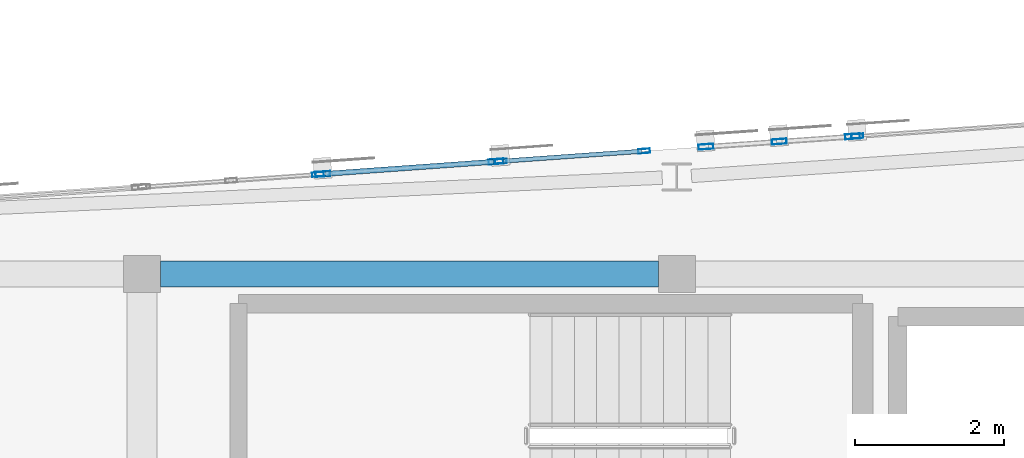
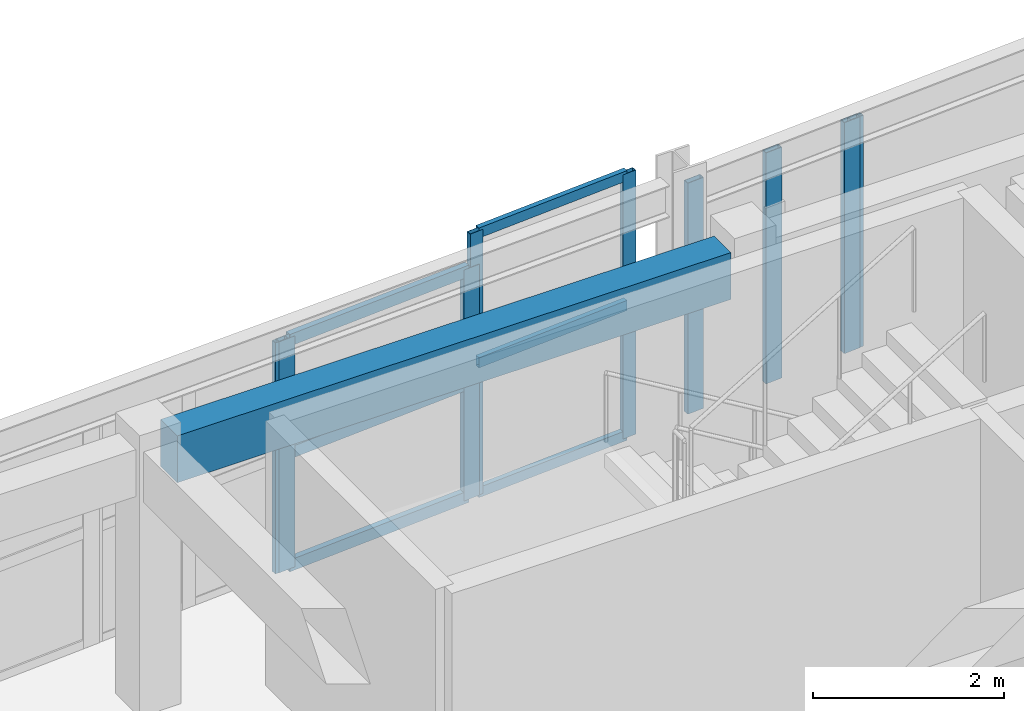
# One storey, part 8 of 34: 15 members, 1 beam, 5 elements without a shape of their own.
"""IFC4 building model written with IfcOpenShell, lengths in metres."""

from ifc_helpers import new_model, si_unit, direction, frame, origin, origin_2d, place, context, subcontext, project, spatial, rectangle, hollow_rectangle, extrude, material, layer, layer_set, material_profile, profile_set, type_object, element, aggregate, save


model = new_model("IFC4")

# Units and contexts
model_context = context("Model", 3, precision=1e-05, world=origin(), true_north=direction((0.0, 1.0)))
body_context = subcontext(model_context, "Body", "Model", "MODEL_VIEW")
ifc_project = project(units=[si_unit("LENGTHUNIT", "METRE"), si_unit("AREAUNIT", "SQUARE_METRE"), si_unit("VOLUMEUNIT", "CUBIC_METRE"), si_unit("PLANEANGLEUNIT", "RADIAN"), si_unit("MASSUNIT", "GRAM", prefix="KILO")], contexts=[model_context])

# Site, building, storey
site_placement = place(None, origin())
site = spatial("IfcSite", under=ifc_project, at=site_placement, CompositionType="ELEMENT")
building_placement = place(site_placement, origin())
building = spatial("IfcBuilding", under=site, at=building_placement, Name="Carrowvane Square Congress Hotel", CompositionType="ELEMENT")
storey_placement = place(building_placement, frame((0.0, 0.0, 40.800048828125)))
storey = spatial("IfcBuildingStorey", under=building, at=storey_placement, Name="L10", CompositionType="ELEMENT", Elevation=40.800048828125)

# Beam
ifc_material_1 = material(Name="Concrete C35/45", Category="concrete")
ifc_material_profile_1 = material_profile(ifc_material_1, rectangle(XDim=0.35009765625, YDim=0.60009765625, at=origin_2d()), Name="RC 350x600")
ifc_profile_set_1 = profile_set([ifc_material_profile_1], Name="Concrete C35/45")
beam_type = type_object("IfcBeamType", Name="BM-RC-350x600", PredefinedType="BEAM", material=ifc_profile_set_1)
beam_placement = place(storey_placement, frame((55.050048828125, 113.39990234375, 3.079833984375), z_axis=(1.0, 0.0, 0.0), x_axis=(0.0, 1.0, 0.0)))
element("IfcBeam", 1, at=beam_placement, inside=storey, type_object=beam_type, Name="L11 girder R/7-8", PredefinedType="BEAM", context=body_context, shape_type="SweptSolid", body=[
    extrude(rectangle(XDim=0.35009765625, YDim=0.60009765625, at=origin_2d()), origin(), (0.0, 0.0, 1.0), 6.699951171875),
])

# Curtain wall, member
ifc_material_2 = material(Name="Anodised aluminium", Category="aluminium")
ifc_layer_1 = layer(ifc_material_2, 0.2099609375)
ifc_layer_set_1 = layer_set([ifc_layer_1], Name="Anodised aluminium")
curtain_wall_type_1 = type_object("IfcCurtainWallType", Name="CW-SYS-5", PredefinedType="NOTDEFINED", material=ifc_layer_set_1)
curtain_wall_1_placement = place(storey_placement, origin())
curtain_wall_1 = element("IfcCurtainWall", 2, at=curtain_wall_1_placement, inside=storey, type_object=curtain_wall_type_1, Name="L10 unitised curtain wall 556", PredefinedType="NOTDEFINED")
ifc_material_3 = material(Name="Anodised aluminium", Category="aluminium")
ifc_material_profile_2 = material_profile(ifc_material_3, hollow_rectangle(XDim=0.06005859375, YDim=0.159912109375, WallThickness=0.00390625, at=origin_2d()), Name="CW-ML 60x160x4")
ifc_profile_set_2 = profile_set([ifc_material_profile_2], Name="Anodised aluminium")
member_type_1 = type_object("IfcMemberType", Name="CW-MUL-1", PredefinedType="MULLION", material=ifc_profile_set_2)
member_1_placement = place(storey_placement, frame((57.169921875, 114.740966796875, 0.0), z_axis=(0.0, 0.0, 1.0), x_axis=(-0.071418356042, 0.997446448898, 0.0)))
member_1 = element("IfcMember", 3, at=member_1_placement, type_object=member_type_1, Name="CW-5 mullion 3", PredefinedType="MULLION", context=body_context, shape_type="SweptSolid", body=[
    extrude(hollow_rectangle(XDim=0.06005859375, YDim=0.159912109375, WallThickness=0.00390625, at=origin_2d()), origin(), (0.0, 0.0, 1.0), 2.95556640625),
])
aggregate(curtain_wall_1, [member_1])

# Curtain wall, members
ifc_material_4 = material(Name="Anodised aluminium", Category="aluminium")
ifc_layer_2 = layer(ifc_material_4, 0.23388671875)
ifc_layer_set_2 = layer_set([ifc_layer_2], Name="Anodised aluminium")
curtain_wall_type_2 = type_object("IfcCurtainWallType", Name="CW-SYS-7", PredefinedType="NOTDEFINED", material=ifc_layer_set_2)
curtain_wall_2_placement = place(storey_placement, origin())
curtain_wall_2 = element("IfcCurtainWall", 4, at=curtain_wall_2_placement, inside=storey, type_object=curtain_wall_type_2, Name="L10 unitised curtain wall 558", PredefinedType="NOTDEFINED")
member_2_placement = place(storey_placement, frame((59.6298828125, 114.91748046875, 0.0), z_axis=(0.0, 0.0, 1.0), x_axis=(-0.070960217342, 0.997479146426, 0.0)))
member_2 = element("IfcMember", 5, at=member_2_placement, type_object=member_type_1, Name="CW-7 mullion 1", PredefinedType="MULLION", context=body_context, shape_type="SweptSolid", body=[
    extrude(hollow_rectangle(XDim=0.06005859375, YDim=0.159912109375, WallThickness=0.00390625, at=origin_2d()), origin(), (0.0, 0.0, 1.0), 3.3798828125),
])
member_3_placement = place(storey_placement, frame((61.5595703125, 115.0546875, 0.0), z_axis=(0.0, 0.0, 1.0), x_axis=(-0.070960217342, 0.997479146426, 0.0)))
member_3 = element("IfcMember", 6, at=member_3_placement, type_object=member_type_1, Name="CW-7 mullion 2", PredefinedType="MULLION", context=body_context, shape_type="SweptSolid", body=[
    extrude(hollow_rectangle(XDim=0.06005859375, YDim=0.159912109375, WallThickness=0.00390625, at=origin_2d()), origin(), (0.0, 0.0, 1.0), 3.3798828125),
])

# Curtain wall, member
ifc_material_5 = material(Name="Anodised aluminium", Category="aluminium")
ifc_layer_3 = layer(ifc_material_5, 0.162109375)
ifc_layer_set_3 = layer_set([ifc_layer_3], Name="Anodised aluminium")
curtain_wall_type_3 = type_object("IfcCurtainWallType", Name="CW-SYS-1", PredefinedType="NOTDEFINED", material=ifc_layer_set_3)
curtain_wall_3_placement = place(storey_placement, origin())
curtain_wall_3 = element("IfcCurtainWall", 7, at=curtain_wall_3_placement, inside=storey, type_object=curtain_wall_type_3, Name="L10 unitised curtain wall 560", PredefinedType="NOTDEFINED")
member_4_placement = place(storey_placement, frame((64.429931640625, 115.255859375, 0.0), z_axis=(0.0, 0.0, 1.0), x_axis=(-0.067865424104, 0.997694484404, 0.0)))
member_4 = element("IfcMember", 8, at=member_4_placement, type_object=member_type_1, Name="CW-1 mullion 1", PredefinedType="MULLION", context=body_context, shape_type="SweptSolid", body=[
    extrude(hollow_rectangle(XDim=0.06005859375, YDim=0.159912109375, WallThickness=0.00390625, at=origin_2d()), origin(), (0.0, 0.0, 1.0), 2.95556640625),
])
aggregate(curtain_wall_3, [member_4])

# Curtain wall, members
ifc_material_6 = material(Name="Anodised aluminium", Category="aluminium")
ifc_layer_4 = layer(ifc_material_6, 0.221923828125)
ifc_layer_set_4 = layer_set([ifc_layer_4], Name="Anodised aluminium")
curtain_wall_type_4 = type_object("IfcCurtainWallType", Name="CW-SYS-6", PredefinedType="NOTDEFINED", material=ifc_layer_set_4)
curtain_wall_4_placement = place(storey_placement, origin())
curtain_wall_4 = element("IfcCurtainWall", 9, at=curtain_wall_4_placement, inside=storey, type_object=curtain_wall_type_4, Name="L10 unitised curtain wall 557", PredefinedType="NOTDEFINED")
ifc_material_7 = material(Name="Anodised aluminium", Category="aluminium")
ifc_material_profile_3 = material_profile(ifc_material_7, hollow_rectangle(XDim=0.070068359375, YDim=0.199951171875, WallThickness=0.0048828125, at=origin_2d()), Name="CW-ML 70x200x5")
ifc_profile_set_3 = profile_set([ifc_material_profile_3], Name="Anodised aluminium")
member_type_2 = type_object("IfcMemberType", Name="CW-MUL-2", PredefinedType="MULLION", material=ifc_profile_set_3)
member_5_placement = place(storey_placement, frame((57.23486328125, 114.74560546875, 0.0), z_axis=(0.0, 0.0, 1.0), x_axis=(-0.071531759512, 0.997438322595, 0.0)))
member_5 = element("IfcMember", 10, at=member_5_placement, type_object=member_type_2, Name="CW-6 mullion 1", PredefinedType="MULLION", context=body_context, shape_type="SweptSolid", body=[
    extrude(hollow_rectangle(XDim=0.070068359375, YDim=0.199951171875, WallThickness=0.0048828125, at=origin_2d()), origin(), (0.0, 0.0, 1.0), 2.95556640625),
])
member_6_placement = place(storey_placement, frame((59.565185546875, 114.912841796875, 0.0), z_axis=(0.0, 0.0, 1.0), x_axis=(-0.071531759512, 0.997438322595, 0.0)))
member_6 = element("IfcMember", 11, at=member_6_placement, type_object=member_type_2, Name="CW-6 mullion 2", PredefinedType="MULLION", context=body_context, shape_type="SweptSolid", body=[
    extrude(hollow_rectangle(XDim=0.070068359375, YDim=0.199951171875, WallThickness=0.0048828125, at=origin_2d()), origin(), (0.0, 0.0, 1.0), 2.95556640625),
])

ifc_material_8 = material(Name="Anodised aluminium", Category="aluminium")
ifc_layer_5 = layer(ifc_material_8, 0.24609375)
ifc_layer_set_5 = layer_set([ifc_layer_5], Name="Anodised aluminium")
curtain_wall_type_5 = type_object("IfcCurtainWallType", Name="CW-SYS-8", PredefinedType="NOTDEFINED", material=ifc_layer_set_5)
curtain_wall_5_placement = place(storey_placement, origin())
curtain_wall_5 = element("IfcCurtainWall", 12, at=curtain_wall_5_placement, inside=storey, type_object=curtain_wall_type_5, Name="L10 unitised curtain wall 559", PredefinedType="NOTDEFINED")
member_7_placement = place(storey_placement, frame((62.39208984375, 115.11328125, 0.0), z_axis=(0.0, 0.0, 1.0), x_axis=(-0.069723822092, 0.997566332949, 0.0)))
member_7 = element("IfcMember", 13, at=member_7_placement, type_object=member_type_2, Name="CW-8 mullion 1", PredefinedType="MULLION", context=body_context, shape_type="SweptSolid", body=[
    extrude(hollow_rectangle(XDim=0.070068359375, YDim=0.199951171875, WallThickness=0.0048828125, at=origin_2d()), origin(), (0.0, 0.0, 1.0), 2.95556640625),
])
member_8_placement = place(storey_placement, frame((63.378662109375, 115.182373046875, 0.0), z_axis=(0.0, 0.0, 1.0), x_axis=(-0.069723822092, 0.997566332949, 0.0)))
member_8 = element("IfcMember", 14, at=member_8_placement, type_object=member_type_2, Name="CW-8 mullion 2", PredefinedType="MULLION", context=body_context, shape_type="SweptSolid", body=[
    extrude(hollow_rectangle(XDim=0.070068359375, YDim=0.199951171875, WallThickness=0.0048828125, at=origin_2d()), origin(), (0.0, 0.0, 1.0), 2.95556640625),
])
member_9_placement = place(storey_placement, frame((64.365234375, 115.251220703125, 0.0), z_axis=(0.0, 0.0, 1.0), x_axis=(-0.069723822092, 0.997566332949, 0.0)))
member_9 = element("IfcMember", 15, at=member_9_placement, type_object=member_type_2, Name="CW-8 mullion 3", PredefinedType="MULLION", context=body_context, shape_type="SweptSolid", body=[
    extrude(hollow_rectangle(XDim=0.070068359375, YDim=0.199951171875, WallThickness=0.0048828125, at=origin_2d()), origin(), (0.0, 0.0, 1.0), 2.95556640625),
])
aggregate(curtain_wall_5, [member_7, member_8, member_9])

# Member
ifc_material_9 = material(Name="Anodised aluminium", Category="aluminium")
ifc_material_profile_4 = material_profile(ifc_material_9, hollow_rectangle(XDim=0.06005859375, YDim=0.1298828125, WallThickness=0.00390625, at=origin_2d()), Name="CW-TR 60x130x4")
ifc_profile_set_4 = profile_set([ifc_material_profile_4], Name="Anodised aluminium")
member_type_3 = type_object("IfcMemberType", Name="CW-TRN-1", PredefinedType="USERDEFINED", material=ifc_profile_set_4)
member_10_placement = place(storey_placement, frame((59.659912109375, 114.91943359375, 0.030029296875), z_axis=(0.997477179268, 0.070987864025, 0.0), x_axis=(-0.070987864025, 0.997477179268, 0.0)))
member_10 = element("IfcMember", 16, at=member_10_placement, type_object=member_type_3, Name="CW-7 transom 1.1", ObjectType="TRANSOM", PredefinedType="USERDEFINED", context=body_context, shape_type="SweptSolid", body=[
    extrude(hollow_rectangle(XDim=0.06005859375, YDim=0.1298828125, WallThickness=0.00390625, at=origin_2d()), origin(), (0.0, 0.0, 1.0), 1.874267578125),
])

member_11_placement = place(storey_placement, frame((59.659912109375, 114.91943359375, 1.68994140625), z_axis=(0.997477179268, 0.070987864025, 0.0), x_axis=(-0.070987864025, 0.997477179268, 0.0)))
member_11 = element("IfcMember", 17, at=member_11_placement, type_object=member_type_3, Name="CW-7 transom 1.2", ObjectType="TRANSOM", PredefinedType="USERDEFINED", context=body_context, shape_type="SweptSolid", body=[
    extrude(hollow_rectangle(XDim=0.06005859375, YDim=0.1298828125, WallThickness=0.00390625, at=origin_2d()), origin(), (0.0, 0.0, 1.0), 1.874267578125),
])

member_12_placement = place(storey_placement, frame((59.659912109375, 114.91943359375, 3.349853515625), z_axis=(0.997477179268, 0.070987864025, 0.0), x_axis=(-0.070987864025, 0.997477179268, 0.0)))
member_12 = element("IfcMember", 18, at=member_12_placement, type_object=member_type_3, Name="CW-7 transom 1.3", ObjectType="TRANSOM", PredefinedType="USERDEFINED", context=body_context, shape_type="SweptSolid", body=[
    extrude(hollow_rectangle(XDim=0.06005859375, YDim=0.1298828125, WallThickness=0.00390625, at=origin_2d()), origin(), (0.0, 0.0, 1.0), 1.874267578125),
])

aggregate(curtain_wall_2, [member_2, member_3, member_10, member_11, member_12])

ifc_material_10 = material(Name="Anodised aluminium", Category="aluminium")
ifc_material_profile_5 = material_profile(ifc_material_10, hollow_rectangle(XDim=0.070068359375, YDim=0.14990234375, WallThickness=0.0048828125, at=origin_2d()), Name="CW-TR 70x150x5")
ifc_profile_set_5 = profile_set([ifc_material_profile_5], Name="Anodised aluminium")
member_type_4 = type_object("IfcMemberType", Name="CW-TRN-2", PredefinedType="USERDEFINED", material=ifc_profile_set_5)
member_13_placement = place(storey_placement, frame((57.269775390625, 114.748046875, 0.034912109375), z_axis=(0.99743842674, 0.071530307307, 0.0), x_axis=(-0.071530307307, 0.99743842674, 0.0)))
member_13 = element("IfcMember", 19, at=member_13_placement, type_object=member_type_4, Name="CW-6 transom 1.1", ObjectType="TRANSOM", PredefinedType="USERDEFINED", context=body_context, shape_type="SweptSolid", body=[
    extrude(hollow_rectangle(XDim=0.070068359375, YDim=0.14990234375, WallThickness=0.0048828125, at=origin_2d()), origin(), (0.0, 0.0, 1.0), 2.266357421875),
])

member_14_placement = place(storey_placement, frame((57.269775390625, 114.748046875, 1.477783203125), z_axis=(0.99743842674, 0.071530307307, 0.0), x_axis=(-0.071530307307, 0.99743842674, 0.0)))
member_14 = element("IfcMember", 20, at=member_14_placement, type_object=member_type_4, Name="CW-6 transom 1.2", ObjectType="TRANSOM", PredefinedType="USERDEFINED", context=body_context, shape_type="SweptSolid", body=[
    extrude(hollow_rectangle(XDim=0.070068359375, YDim=0.14990234375, WallThickness=0.0048828125, at=origin_2d()), origin(), (0.0, 0.0, 1.0), 2.266357421875),
])

member_15_placement = place(storey_placement, frame((57.269775390625, 114.748046875, 2.920654296875), z_axis=(0.99743842674, 0.071530307307, 0.0), x_axis=(-0.071530307307, 0.99743842674, 0.0)))
member_15 = element("IfcMember", 21, at=member_15_placement, type_object=member_type_4, Name="CW-6 transom 1.3", ObjectType="TRANSOM", PredefinedType="USERDEFINED", context=body_context, shape_type="SweptSolid", body=[
    extrude(hollow_rectangle(XDim=0.070068359375, YDim=0.14990234375, WallThickness=0.0048828125, at=origin_2d()), origin(), (0.0, 0.0, 1.0), 2.266357421875),
])

aggregate(curtain_wall_4, [member_5, member_6, member_13, member_14, member_15])

save(model, "model.ifc")
